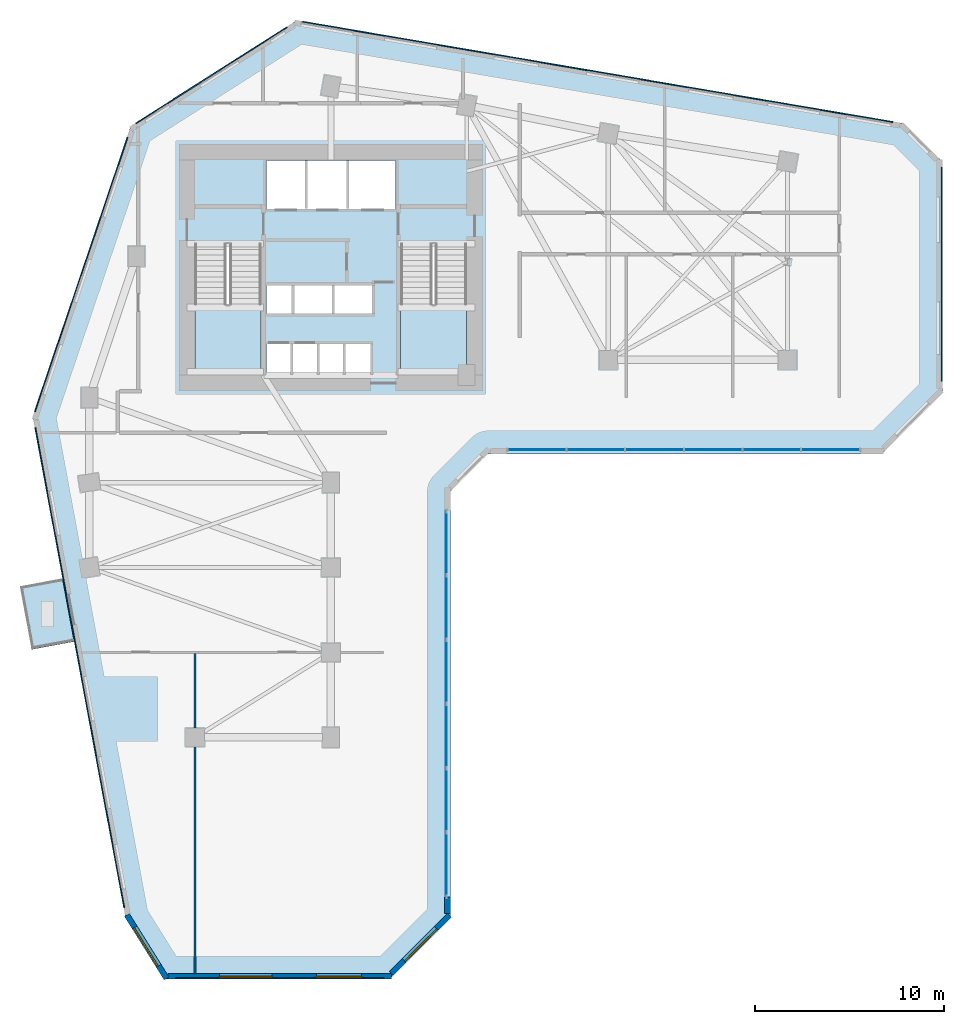
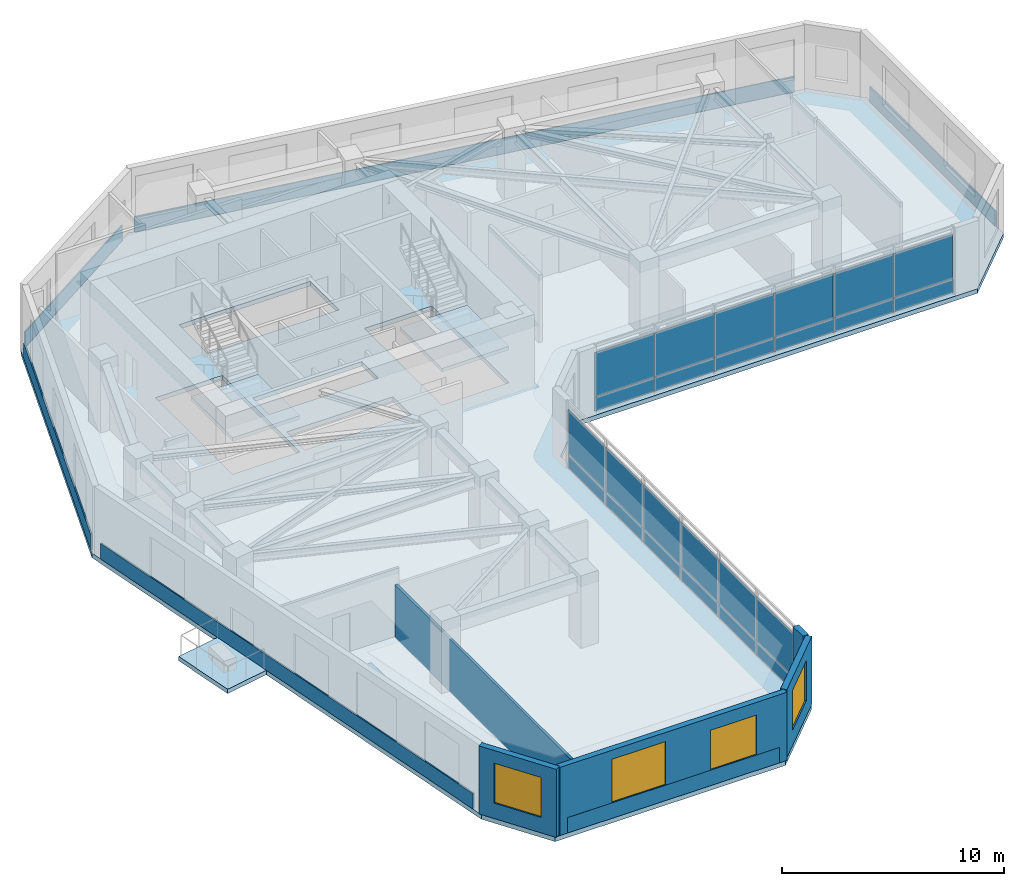
# One storey, part 4 of 9: 30 plates, 5 walls, 4 slabs, 4 windows, 4 openings, 4 elements without a shape of their own.
"""IFC4 building model written with IfcOpenShell, lengths in metres."""

from ifc_helpers import new_model, si_unit, direction, frame, frame_2d, origin, place, context, subcontext, project, spatial, polyline, rectangle, outline, extrude, source, transform, mapped, material, layer, layer_set, type_object, element, fill, aggregate, save


model = new_model("IFC4")

# Units and contexts
model_context = context("Model", 3, precision=1e-05, world=origin(), true_north=direction((0.0, 1.0)))
body_context = subcontext(model_context, "Body", "Model", "MODEL_VIEW")
ifc_project = project(units=[si_unit("LENGTHUNIT", "METRE"), si_unit("AREAUNIT", "SQUARE_METRE"), si_unit("VOLUMEUNIT", "CUBIC_METRE"), si_unit("PLANEANGLEUNIT", "RADIAN"), si_unit("MASSUNIT", "GRAM", prefix="KILO")], contexts=[model_context])

# Site, building, storey
site_placement = place(None, origin())
site = spatial("IfcSite", under=ifc_project, at=site_placement, CompositionType="ELEMENT")
building_placement = place(site_placement, origin())
building = spatial("IfcBuilding", under=site, at=building_placement, Name="Calvemar Wedge Station Tower", CompositionType="ELEMENT")
storey_placement = place(building_placement, frame((0.0, 0.0, 67.0)))
storey = spatial("IfcBuildingStorey", under=building, at=storey_placement, Name="L16", CompositionType="ELEMENT", Elevation=67.0)

# Curtain wall, plates
ifc_material_1 = material(Name="Anodised aluminium 6063-T6", Category="aluminium")
curtain_wall_type = type_object("IfcCurtainWallType", Name="CW1", PredefinedType="NOTDEFINED", material=ifc_material_1)
curtain_wall_1_placement = place(storey_placement, origin())
curtain_wall_1 = element("IfcCurtainWall", 1, at=curtain_wall_1_placement, inside=storey, type_object=curtain_wall_type, Name="Storey L16 CW1 Recessed Unitised Curtain Wall 4", PredefinedType="NOTDEFINED")
ifc_material_2 = material(Name="Low-E laminated insulated glass", Category="glass")
ifc_layer_1 = layer(ifc_material_2, 0.028076171875)
ifc_layer_set_1 = layer_set([ifc_layer_1], Name="Low-E laminated insulated glass")
plate_type_1 = type_object("IfcPlateType", Name="CW1-GLZ", PredefinedType="CURTAIN_PANEL", material=ifc_layer_set_1)
plate_1_placement = place(storey_placement, frame((29.91796875, 6.580078125, 0.8701171875), z_axis=(0.0, 0.0, 1.0), x_axis=(0.0, 1.0, 0.0)))
plate_1 = element("IfcPlate", 2, at=plate_1_placement, type_object=plate_type_1, Name="CW1 vision glass panel 1", PredefinedType="CURTAIN_PANEL", context=body_context, shape_type="SweptSolid", body=[
    extrude(rectangle(XDim=3.36865234375, YDim=0.028076171875, at=frame_2d((1.684326171875, 0.0))), origin(), (0.0, 0.0, 1.0), 2.409912109375),
])
plate_2_placement = place(storey_placement, frame((29.91796875, 9.98486328125, 0.8701171875), z_axis=(0.0, 0.0, 1.0), x_axis=(0.0, 1.0, 0.0)))
plate_2 = element("IfcPlate", 3, at=plate_2_placement, type_object=plate_type_1, Name="CW1 vision glass panel 2", PredefinedType="CURTAIN_PANEL", context=body_context, shape_type="SweptSolid", body=[
    extrude(rectangle(XDim=3.36865234375, YDim=0.028076171875, at=frame_2d((1.684326171875, 0.0))), origin(), (0.0, 0.0, 1.0), 2.409912109375),
])
plate_3_placement = place(storey_placement, frame((29.91796875, 13.389404296875, 0.8701171875), z_axis=(0.0, 0.0, 1.0), x_axis=(0.0, 1.0, 0.0)))
plate_3 = element("IfcPlate", 4, at=plate_3_placement, type_object=plate_type_1, Name="CW1 vision glass panel 3", PredefinedType="CURTAIN_PANEL", context=body_context, shape_type="SweptSolid", body=[
    extrude(rectangle(XDim=3.36865234375, YDim=0.028076171875, at=frame_2d((1.684326171875, 0.0))), origin(), (0.0, 0.0, 1.0), 2.409912109375),
])
plate_4_placement = place(storey_placement, frame((29.91796875, 16.794189453125, 0.8701171875), z_axis=(0.0, 0.0, 1.0), x_axis=(0.0, 1.0, 0.0)))
plate_4 = element("IfcPlate", 5, at=plate_4_placement, type_object=plate_type_1, Name="CW1 vision glass panel 4", PredefinedType="CURTAIN_PANEL", context=body_context, shape_type="SweptSolid", body=[
    extrude(rectangle(XDim=3.36865234375, YDim=0.028076171875, at=frame_2d((1.684326171875, 0.0))), origin(), (0.0, 0.0, 1.0), 2.409912109375),
])
plate_5_placement = place(storey_placement, frame((29.91796875, 20.19873046875, 0.8701171875), z_axis=(0.0, 0.0, 1.0), x_axis=(0.0, 1.0, 0.0)))
plate_5 = element("IfcPlate", 6, at=plate_5_placement, type_object=plate_type_1, Name="CW1 vision glass panel 5", PredefinedType="CURTAIN_PANEL", context=body_context, shape_type="SweptSolid", body=[
    extrude(rectangle(XDim=3.36865234375, YDim=0.028076171875, at=frame_2d((1.684326171875, 0.0))), origin(), (0.0, 0.0, 1.0), 2.409912109375),
])
plate_6_placement = place(storey_placement, frame((29.91796875, 23.603515625, 0.8701171875), z_axis=(0.0, 0.0, 1.0), x_axis=(0.0, 1.0, 0.0)))
plate_6 = element("IfcPlate", 7, at=plate_6_placement, type_object=plate_type_1, Name="CW1 vision glass panel 6", PredefinedType="CURTAIN_PANEL", context=body_context, shape_type="SweptSolid", body=[
    extrude(rectangle(XDim=3.36865234375, YDim=0.028076171875, at=frame_2d((1.684326171875, 0.0))), origin(), (0.0, 0.0, 1.0), 2.409912109375),
])

curtain_wall_2_placement = place(storey_placement, origin())
curtain_wall_2 = element("IfcCurtainWall", 8, at=curtain_wall_2_placement, inside=storey, type_object=curtain_wall_type, Name="Storey L16 CW1 Recessed Unitised Curtain Wall 6", PredefinedType="NOTDEFINED")
plate_7_placement = place(storey_placement, frame((33.183837890625, 30.238037109375, 0.8701171875), z_axis=(0.0, 0.0, 1.0), x_axis=(1.0, 0.0, 0.0)))
plate_7 = element("IfcPlate", 9, at=plate_7_placement, type_object=plate_type_1, Name="CW1 vision glass panel 1", PredefinedType="CURTAIN_PANEL", context=body_context, shape_type="SweptSolid", body=[
    extrude(rectangle(XDim=3.076171875, YDim=0.028076171875, at=frame_2d((1.5380859375, 0.0))), origin(), (0.0, 0.0, 1.0), 2.409912109375),
])
plate_8_placement = place(storey_placement, frame((36.2958984375, 30.238037109375, 0.8701171875), z_axis=(0.0, 0.0, 1.0), x_axis=(1.0, 0.0, 0.0)))
plate_8 = element("IfcPlate", 10, at=plate_8_placement, type_object=plate_type_1, Name="CW1 vision glass panel 2", PredefinedType="CURTAIN_PANEL", context=body_context, shape_type="SweptSolid", body=[
    extrude(rectangle(XDim=3.075927734375, YDim=0.028076171875, at=frame_2d((1.5380859375, 0.0))), origin(), (0.0, 0.0, 1.0), 2.409912109375),
])
plate_9_placement = place(storey_placement, frame((39.407958984375, 30.238037109375, 0.8701171875), z_axis=(0.0, 0.0, 1.0), x_axis=(1.0, 0.0, 0.0)))
plate_9 = element("IfcPlate", 11, at=plate_9_placement, type_object=plate_type_1, Name="CW1 vision glass panel 3", PredefinedType="CURTAIN_PANEL", context=body_context, shape_type="SweptSolid", body=[
    extrude(rectangle(XDim=3.075927734375, YDim=0.028076171875, at=frame_2d((1.5380859375, 0.0))), origin(), (0.0, 0.0, 1.0), 2.409912109375),
])
plate_10_placement = place(storey_placement, frame((42.52001953125, 30.238037109375, 0.8701171875), z_axis=(0.0, 0.0, 1.0), x_axis=(1.0, 0.0, 0.0)))
plate_10 = element("IfcPlate", 12, at=plate_10_placement, type_object=plate_type_1, Name="CW1 vision glass panel 4", PredefinedType="CURTAIN_PANEL", context=body_context, shape_type="SweptSolid", body=[
    extrude(rectangle(XDim=3.075927734375, YDim=0.028076171875, at=frame_2d((1.5380859375, 0.0))), origin(), (0.0, 0.0, 1.0), 2.409912109375),
])
plate_11_placement = place(storey_placement, frame((45.6318359375, 30.238037109375, 0.8701171875), z_axis=(0.0, 0.0, 1.0), x_axis=(1.0, 0.0, 0.0)))
plate_11 = element("IfcPlate", 13, at=plate_11_placement, type_object=plate_type_1, Name="CW1 vision glass panel 5", PredefinedType="CURTAIN_PANEL", context=body_context, shape_type="SweptSolid", body=[
    extrude(rectangle(XDim=3.076171875, YDim=0.028076171875, at=frame_2d((1.5380859375, 0.0))), origin(), (0.0, 0.0, 1.0), 2.409912109375),
])
plate_12_placement = place(storey_placement, frame((48.743896484375, 30.238037109375, 0.8701171875), z_axis=(0.0, 0.0, 1.0), x_axis=(1.0, 0.0, 0.0)))
plate_12 = element("IfcPlate", 14, at=plate_12_placement, type_object=plate_type_1, Name="CW1 vision glass panel 6", PredefinedType="CURTAIN_PANEL", context=body_context, shape_type="SweptSolid", body=[
    extrude(rectangle(XDim=3.075927734375, YDim=0.028076171875, at=frame_2d((1.5380859375, 0.0))), origin(), (0.0, 0.0, 1.0), 2.409912109375),
])

# Plate
ifc_material_3 = material(Name="Oxidized bronze aluminium spandrel panel 5005-H24", Category="aluminium")
ifc_layer_2 = layer(ifc_material_3, 0.0400390625)
ifc_layer_set_2 = layer_set([ifc_layer_2], Name="Oxidized bronze aluminium spandrel panel 5005-H24")
plate_type_2 = type_object("IfcPlateType", Name="CW1-SPD", PredefinedType="SHEET", material=ifc_layer_set_2)
plate_13_placement = place(storey_placement, frame((29.91796875, 6.580078125, 0.080078125), z_axis=(0.0, 0.0, 1.0), x_axis=(0.0, 1.0, 0.0)))
plate_13 = element("IfcPlate", 15, at=plate_13_placement, type_object=plate_type_2, Name="CW1 bronze spandrel panel 1", PredefinedType="SHEET", context=body_context, shape_type="SweptSolid", body=[
    extrude(rectangle(XDim=3.36865234375, YDim=0.0400390625, at=frame_2d((1.684326171875, 0.0))), origin(), (0.0, 0.0, 1.0), 0.75),
])

plate_14_placement = place(storey_placement, frame((29.91796875, 9.98486328125, 0.080078125), z_axis=(0.0, 0.0, 1.0), x_axis=(0.0, 1.0, 0.0)))
plate_14 = element("IfcPlate", 16, at=plate_14_placement, type_object=plate_type_2, Name="CW1 bronze spandrel panel 2", PredefinedType="SHEET", context=body_context, shape_type="SweptSolid", body=[
    extrude(rectangle(XDim=3.36865234375, YDim=0.0400390625, at=frame_2d((1.684326171875, 0.0))), origin(), (0.0, 0.0, 1.0), 0.75),
])

plate_15_placement = place(storey_placement, frame((29.91796875, 13.389404296875, 0.080078125), z_axis=(0.0, 0.0, 1.0), x_axis=(0.0, 1.0, 0.0)))
plate_15 = element("IfcPlate", 17, at=plate_15_placement, type_object=plate_type_2, Name="CW1 bronze spandrel panel 3", PredefinedType="SHEET", context=body_context, shape_type="SweptSolid", body=[
    extrude(rectangle(XDim=3.36865234375, YDim=0.0400390625, at=frame_2d((1.684326171875, 0.0))), origin(), (0.0, 0.0, 1.0), 0.75),
])

plate_16_placement = place(storey_placement, frame((29.91796875, 16.794189453125, 0.080078125), z_axis=(0.0, 0.0, 1.0), x_axis=(0.0, 1.0, 0.0)))
plate_16 = element("IfcPlate", 18, at=plate_16_placement, type_object=plate_type_2, Name="CW1 bronze spandrel panel 4", PredefinedType="SHEET", context=body_context, shape_type="SweptSolid", body=[
    extrude(rectangle(XDim=3.36865234375, YDim=0.0400390625, at=frame_2d((1.684326171875, 0.0))), origin(), (0.0, 0.0, 1.0), 0.75),
])

plate_17_placement = place(storey_placement, frame((29.91796875, 20.19873046875, 0.080078125), z_axis=(0.0, 0.0, 1.0), x_axis=(0.0, 1.0, 0.0)))
plate_17 = element("IfcPlate", 19, at=plate_17_placement, type_object=plate_type_2, Name="CW1 bronze spandrel panel 5", PredefinedType="SHEET", context=body_context, shape_type="SweptSolid", body=[
    extrude(rectangle(XDim=3.36865234375, YDim=0.0400390625, at=frame_2d((1.684326171875, 0.0))), origin(), (0.0, 0.0, 1.0), 0.75),
])

plate_18_placement = place(storey_placement, frame((29.91796875, 23.603515625, 0.080078125), z_axis=(0.0, 0.0, 1.0), x_axis=(0.0, 1.0, 0.0)))
plate_18 = element("IfcPlate", 20, at=plate_18_placement, type_object=plate_type_2, Name="CW1 bronze spandrel panel 6", PredefinedType="SHEET", context=body_context, shape_type="SweptSolid", body=[
    extrude(rectangle(XDim=3.36865234375, YDim=0.0400390625, at=frame_2d((1.684326171875, 0.0))), origin(), (0.0, 0.0, 1.0), 0.75),
])

aggregate(curtain_wall_1, [plate_13, plate_1, plate_14, plate_2, plate_15, plate_3, plate_16, plate_4, plate_17, plate_5, plate_18, plate_6])

plate_19_placement = place(storey_placement, frame((33.183837890625, 30.238037109375, 0.080078125), z_axis=(0.0, 0.0, 1.0), x_axis=(1.0, 0.0, 0.0)))
plate_19 = element("IfcPlate", 21, at=plate_19_placement, type_object=plate_type_2, Name="CW1 bronze spandrel panel 1", PredefinedType="SHEET", context=body_context, shape_type="SweptSolid", body=[
    extrude(rectangle(XDim=3.076171875, YDim=0.0400390625, at=frame_2d((1.5380859375, 0.0))), origin(), (0.0, 0.0, 1.0), 0.75),
])

plate_20_placement = place(storey_placement, frame((36.2958984375, 30.238037109375, 0.080078125), z_axis=(0.0, 0.0, 1.0), x_axis=(1.0, 0.0, 0.0)))
plate_20 = element("IfcPlate", 22, at=plate_20_placement, type_object=plate_type_2, Name="CW1 bronze spandrel panel 2", PredefinedType="SHEET", context=body_context, shape_type="SweptSolid", body=[
    extrude(rectangle(XDim=3.075927734375, YDim=0.0400390625, at=frame_2d((1.5380859375, 0.0))), origin(), (0.0, 0.0, 1.0), 0.75),
])

plate_21_placement = place(storey_placement, frame((39.407958984375, 30.238037109375, 0.080078125), z_axis=(0.0, 0.0, 1.0), x_axis=(1.0, 0.0, 0.0)))
plate_21 = element("IfcPlate", 23, at=plate_21_placement, type_object=plate_type_2, Name="CW1 bronze spandrel panel 3", PredefinedType="SHEET", context=body_context, shape_type="SweptSolid", body=[
    extrude(rectangle(XDim=3.075927734375, YDim=0.0400390625, at=frame_2d((1.5380859375, 0.0))), origin(), (0.0, 0.0, 1.0), 0.75),
])

plate_22_placement = place(storey_placement, frame((42.52001953125, 30.238037109375, 0.080078125), z_axis=(0.0, 0.0, 1.0), x_axis=(1.0, 0.0, 0.0)))
plate_22 = element("IfcPlate", 24, at=plate_22_placement, type_object=plate_type_2, Name="CW1 bronze spandrel panel 4", PredefinedType="SHEET", context=body_context, shape_type="SweptSolid", body=[
    extrude(rectangle(XDim=3.075927734375, YDim=0.0400390625, at=frame_2d((1.5380859375, 0.0))), origin(), (0.0, 0.0, 1.0), 0.75),
])

plate_23_placement = place(storey_placement, frame((45.6318359375, 30.238037109375, 0.080078125), z_axis=(0.0, 0.0, 1.0), x_axis=(1.0, 0.0, 0.0)))
plate_23 = element("IfcPlate", 25, at=plate_23_placement, type_object=plate_type_2, Name="CW1 bronze spandrel panel 5", PredefinedType="SHEET", context=body_context, shape_type="SweptSolid", body=[
    extrude(rectangle(XDim=3.076171875, YDim=0.0400390625, at=frame_2d((1.5380859375, 0.0))), origin(), (0.0, 0.0, 1.0), 0.75),
])

plate_24_placement = place(storey_placement, frame((48.743896484375, 30.238037109375, 0.080078125), z_axis=(0.0, 0.0, 1.0), x_axis=(1.0, 0.0, 0.0)))
plate_24 = element("IfcPlate", 26, at=plate_24_placement, type_object=plate_type_2, Name="CW1 bronze spandrel panel 6", PredefinedType="SHEET", context=body_context, shape_type="SweptSolid", body=[
    extrude(rectangle(XDim=3.075927734375, YDim=0.0400390625, at=frame_2d((1.5380859375, 0.0))), origin(), (0.0, 0.0, 1.0), 0.75),
])

aggregate(curtain_wall_2, [plate_19, plate_7, plate_20, plate_8, plate_21, plate_9, plate_22, plate_10, plate_23, plate_11, plate_24, plate_12])

# Plates
ifc_material_4 = material(Name="Precast concrete C45", Category="concrete")
ifc_layer_3 = layer(ifc_material_4, 0.06494140625)
ifc_layer_set_3 = layer_set([ifc_layer_3], Name="Precast concrete C45")
plate_type_3 = type_object("IfcPlateType", Name="PL-GFRC-FIN", PredefinedType="USERDEFINED", material=ifc_layer_set_3)
plate_25_placement = place(storey_placement, frame((15.57373046875, 2.22998046875, 0.0), z_axis=(0.0, 0.0, 1.0), x_axis=(1.0, 0.0, 0.0)))
element("IfcPlate", 27, at=plate_25_placement, inside=storey, type_object=plate_type_3, Name="Storey L16 Oxidized-Bronze GFRC Spandrel Cladding 2", ObjectType="CLADDING PANEL", PredefinedType="USERDEFINED", context=body_context, shape_type="SweptSolid", body=[
    extrude(rectangle(XDim=11.042236328125, YDim=0.06494140625, at=frame_2d((5.52099609375, 0.0))), origin(), (0.0, 0.0, 1.0), 0.85009765625),
])
plate_26_placement = place(storey_placement, frame((56.169921875, 33.88525390625, 0.0), z_axis=(0.0, 0.0, 1.0), x_axis=(0.0, 1.0, 0.0)))
element("IfcPlate", 28, at=plate_26_placement, inside=storey, type_object=plate_type_3, Name="Storey L16 Oxidized-Bronze GFRC Spandrel Cladding 8", ObjectType="CLADDING PANEL", PredefinedType="USERDEFINED", context=body_context, shape_type="SweptSolid", body=[
    extrude(rectangle(XDim=11.33056640625, YDim=0.06494140625, at=frame_2d((5.665283203125, 0.0))), origin(), (0.0, 0.0, 1.0), 0.85009765625),
])
plate_27_placement = place(storey_placement, frame((53.586669921875, 47.601806640625, 0.0), z_axis=(0.0, 0.0, 1.0), x_axis=(-0.985865619109, 0.16753799885, 0.0)))
element("IfcPlate", 29, at=plate_27_placement, inside=storey, type_object=plate_type_3, Name="Storey L16 Oxidized-Bronze GFRC Spandrel Cladding 10", ObjectType="CLADDING PANEL", PredefinedType="USERDEFINED", context=body_context, shape_type="SweptSolid", body=[
    extrude(rectangle(XDim=31.73681640625, YDim=0.06494140625, at=frame_2d((15.868408203125, 0.0))), origin(), (0.0, 0.0, 1.0), 0.85009765625),
])
plate_28_placement = place(storey_placement, frame((21.472900390625, 52.62890625, 0.0), z_axis=(0.0, 0.0, 1.0), x_axis=(-0.843667847652, -0.536865497903, 0.0)))
element("IfcPlate", 30, at=plate_28_placement, inside=storey, type_object=plate_type_3, Name="Storey L16 Oxidized-Bronze GFRC Spandrel Cladding 11", ObjectType="CLADDING PANEL", PredefinedType="USERDEFINED", context=body_context, shape_type="SweptSolid", body=[
    extrude(rectangle(XDim=9.48388671875, YDim=0.06494140625, at=frame_2d((4.741943359375, 0.0))), origin(), (0.0, 0.0, 1.0), 0.85009765625),
])
plate_29_placement = place(storey_placement, frame((13.02685546875, 46.793212890625, 0.0), z_axis=(0.0, 0.0, 1.0), x_axis=(-0.319926926958, -0.947442220617, 0.0)))
element("IfcPlate", 31, at=plate_29_placement, inside=storey, type_object=plate_type_3, Name="Storey L16 Oxidized-Bronze GFRC Spandrel Cladding 12", ObjectType="CLADDING PANEL", PredefinedType="USERDEFINED", context=body_context, shape_type="SweptSolid", body=[
    extrude(rectangle(XDim=15.334716796875, YDim=0.06494140625, at=frame_2d((7.66748046875, 0.0))), origin(), (0.0, 0.0, 1.0), 0.85009765625),
])
plate_30_placement = place(storey_placement, frame((8.13818359375, 31.41845703125, 0.0), z_axis=(0.0, 0.0, 1.0), x_axis=(0.182161215884, -0.983268677131, 0.0)))
element("IfcPlate", 32, at=plate_30_placement, inside=storey, type_object=plate_type_3, Name="Storey L16 Oxidized-Bronze GFRC Spandrel Cladding 13", ObjectType="CLADDING PANEL", PredefinedType="USERDEFINED", context=body_context, shape_type="SweptSolid", body=[
    extrude(rectangle(XDim=25.87890625, YDim=0.06494140625, at=frame_2d((12.939453125, 0.0))), origin(), (0.0, 0.0, 1.0), 0.85009765625),
])

# Stair, slab
ifc_material_5 = material(Name="Concrete C45", Category="concrete")
stair_type = type_object("IfcStairType", Name="ST-TYPE-4000", PredefinedType="HALF_TURN_STAIR", material=ifc_material_5)
stair_1_placement = place(storey_placement, origin())
stair_1 = element("IfcStair", 33, at=stair_1_placement, inside=storey, type_object=stair_type, Name="L16 Pressurized Core Exit Stair ST-C1", PredefinedType="HALF_TURN_STAIR")
ifc_layer_4 = layer(ifc_material_5, 0.199951171875)
ifc_layer_set_4 = layer_set([ifc_layer_4], Name="Concrete C45")
slab_type_1 = type_object("IfcSlabType", Name="SL-STAIR-LND-200", PredefinedType="LANDING", material=ifc_layer_set_4)
slab_1_placement = place(storey_placement, frame((0.0, 0.0, 1.800048828125)))
slab_1 = element("IfcSlab", 34, at=slab_1_placement, type_object=slab_type_1, Name="ST-C1 landing 1", PredefinedType="LANDING", context=body_context, shape_type="SweptSolid", body=[
    extrude(outline(polyline([(16.60009765625, 37.9599609375), (16.60009765625, 34.199951171875), (20.10009765625, 34.199951171875), (20.10009765625, 37.9599609375), (16.60009765625, 37.9599609375)])), origin(), (0.0, 0.0, 1.0), 0.199951171875),
])
aggregate(stair_1, [slab_1])

stair_2_placement = place(storey_placement, origin())
stair_2 = element("IfcStair", 35, at=stair_2_placement, inside=storey, type_object=stair_type, Name="L16 Pressurized Core Exit Stair ST-C2", PredefinedType="HALF_TURN_STAIR")
slab_2_placement = place(storey_placement, frame((0.0, 0.0, 1.800048828125)))
slab_2 = element("IfcSlab", 36, at=slab_2_placement, type_object=slab_type_1, Name="ST-C2 landing 1", PredefinedType="LANDING", context=body_context, shape_type="SweptSolid", body=[
    extrude(outline(polyline([(27.5, 37.9599609375), (27.5, 34.199951171875), (31.0, 34.199951171875), (31.0, 37.9599609375), (27.5, 37.9599609375)])), origin(), (0.0, 0.0, 1.0), 0.199951171875),
])
aggregate(stair_2, [slab_2])

# Slabs
ifc_layer_5 = layer(ifc_material_5, 0.239990234375)
ifc_layer_set_5 = layer_set([ifc_layer_5], Name="Concrete C45")
slab_type_2 = type_object("IfcSlabType", Name="SL-TERR-240", PredefinedType="FLOOR", material=ifc_layer_set_5)
slab_3_placement = place(storey_placement, frame((0.0, 0.0, -0.239990234375)))
element("IfcSlab", 37, at=slab_3_placement, inside=storey, type_object=slab_type_2, Name="Storey L16 Planted Spiral Terrace Slab", PredefinedType="FLOOR", context=body_context, shape_type="SweptSolid", body=[
    extrude(outline(polyline([(9.589111328125, 23.422119140625), (7.326904296875, 23.0029296875), (7.947021484375, 19.658935546875), (10.208984375, 20.077880859375), (9.589111328125, 23.422119140625)])), origin(), (0.0, 0.0, 1.0), 0.239990234375),
])
ifc_material_6 = material(Name="Concrete C50", Category="concrete")
ifc_layer_6 = layer(ifc_material_6, 0.25)
ifc_layer_set_6 = layer_set([ifc_layer_6], Name="Concrete C50")
slab_type_3 = type_object("IfcSlabType", Name="SL-TYP-250", PredefinedType="FLOOR", material=ifc_layer_set_6)
slab_4_placement = place(storey_placement, frame((0.0, 0.0, -0.25)))
element("IfcSlab", 38, at=slab_4_placement, inside=storey, type_object=slab_type_3, Name="Storey L16 Structural Floor Slab", PredefinedType="FLOOR", context=body_context, shape_type="SweptSolid", body=[
    extrude(outline(polyline([(8.0, 32.0), (12.927978515625, 5.39990234375), (14.927978515625, 2.199951171875), (26.927978515625, 2.199951171875), (30.1279296875, 5.39990234375), (30.1279296875, 28.028076171875), (32.1279296875, 30.028076171875), (53.0, 30.028076171875), (56.199951171875, 33.22802734375), (56.199951171875, 45.528076171875), (54.199951171875, 47.528076171875), (22.0, 53.0), (13.199951171875, 47.39990234375), (8.0, 32.0)]), holes=[polyline([(21.739990234375, 35.85009765625), (21.72998046875, 35.85009765625), (20.3798828125, 35.85009765625), (20.3798828125, 34.219970703125), (21.72998046875, 34.219970703125), (21.739990234375, 34.219970703125), (23.1201171875, 34.219970703125), (23.1298828125, 34.219970703125), (24.510009765625, 34.219970703125), (24.52001953125, 34.219970703125), (25.909912109375, 34.219970703125), (25.909912109375, 35.85009765625), (24.52001953125, 35.85009765625), (24.510009765625, 35.85009765625), (23.1298828125, 35.85009765625), (23.1201171875, 35.85009765625), (21.739990234375, 35.85009765625)]), polyline([(16.60009765625, 41.14990234375), (16.60009765625, 34.199951171875), (20.10009765625, 34.199951171875), (20.10009765625, 41.14990234375), (16.60009765625, 41.14990234375)]), polyline([(27.5, 34.199951171875), (31.0, 34.199951171875), (31.0, 41.14990234375), (27.5, 41.14990234375), (27.5, 34.199951171875)]), polyline([(21.7900390625, 37.449951171875), (21.800048828125, 37.449951171875), (23.929931640625, 37.449951171875), (23.93994140625, 37.449951171875), (26.080078125, 37.449951171875), (26.080078125, 38.949951171875), (23.93994140625, 38.949951171875), (23.929931640625, 38.949951171875), (21.800048828125, 38.949951171875), (21.7900390625, 38.949951171875), (20.3798828125, 38.949951171875), (20.3798828125, 37.449951171875), (21.7900390625, 37.449951171875)]), polyline([(20.3798828125, 43.0), (27.219970703125, 43.0), (27.219970703125, 45.580078125), (20.3798828125, 45.580078125), (20.3798828125, 43.0)])]), origin(), (0.0, 0.0, 1.0), 0.25),
])

# Wall, opening, window
ifc_layer_7 = layer(ifc_material_4, 0.300048828125)
ifc_layer_set_7 = layer_set([ifc_layer_7], Name="Precast concrete C45")
wall_type_1 = type_object("IfcWallType", Name="W-EXT-GFRC-300", PredefinedType="SOLIDWALL", material=ifc_layer_set_7)
wall_1_placement = place(storey_placement, frame((12.99072265625, 5.58251953125, 0.0), z_axis=(0.0, 0.0, 1.0), x_axis=(0.530015557218, -0.847987918019, 0.0)))
wall_1 = element("IfcWall", 39, at=wall_1_placement, inside=storey, type_object=wall_type_1, Name="Storey L16 Bronze GFRC Exterior Wall 1", PredefinedType="SOLIDWALL", context=body_context, shape_type="SweptSolid", body=[
    extrude(rectangle(XDim=3.9619140625, YDim=0.300048828125, at=frame_2d((1.98095703125, 0.0))), origin(), (0.0, 0.0, 1.0), 3.75),
])
shared_shape_1 = source(origin(), body_context, "Body", "SweptSolid", [
    extrude(rectangle(XDim=2.39990234375, YDim=2.199951171875, at=frame_2d((1.199951171875, 1.10009765625))), frame((0.0, 0.16015625, 0.0), z_axis=(0.0, -1.0, 0.0), x_axis=(1.0, 0.0, 0.0)), (0.0, 0.0, 1.0), 0.320068359375),
])
opening_1_placement = place(wall_1_placement, frame((0.781005859375, 0.0, 0.85009765625)))
opening_1 = element("IfcOpeningElement", 40, at=opening_1_placement, cuts=wall_1, Name="Opening W1", PredefinedType="OPENING", context=body_context, shape_type="MappedRepresentation", body=[
    mapped(shared_shape_1, transform((0.0, 0.0, 0.0), scale=1.0)),
])
window_type_1 = type_object("IfcWindowType", Name="WIN-EXT-1", PartitioningType="SINGLE_PANEL", PredefinedType="WINDOW", material=ifc_material_2)
shared_shape_2 = source(origin(), body_context, "Body", "SweptSolid", [
    extrude(rectangle(XDim=2.39990234375, YDim=2.199951171875, at=frame_2d((1.199951171875, 1.10009765625))), frame((0.0, -0.014892578125, 0.0), z_axis=(0.0, -1.0, 0.0), x_axis=(1.0, 0.0, 0.0)), (0.0, 0.0, 1.0), 0.06005859375),
])
window_1_placement = place(opening_1_placement, origin())
window_1 = element("IfcWindow", 41, at=window_1_placement, inside=storey, type_object=window_type_1, Name="Storey L16 Recessed Window 1.1", OverallHeight=2.199951171875, OverallWidth=2.39990234375, PartitioningType="SINGLE_PANEL", PredefinedType="WINDOW", context=body_context, shape_type="MappedRepresentation", body=[
    mapped(shared_shape_2, transform((0.0, 0.0, 0.0), scale=1.0)),
])
fill(opening_1, window_1)

# Wall, openings, windows
wall_2_placement = place(storey_placement, frame((15.173828125, 2.35009765625, 0.0), z_axis=(0.0, 0.0, 1.0), x_axis=(1.0, 0.0, 0.0)))
wall_2 = element("IfcWall", 42, at=wall_2_placement, inside=storey, type_object=wall_type_1, Name="Storey L16 Bronze GFRC Exterior Wall 2", PredefinedType="SOLIDWALL", context=body_context, shape_type="SweptSolid", body=[
    extrude(rectangle(XDim=11.842041015625, YDim=0.300048828125, at=frame_2d((5.9208984375, 0.0))), origin(), (0.0, 0.0, 1.0), 3.75),
])
shared_shape_3 = source(origin(), body_context, "Body", "SweptSolid", [
    extrude(rectangle(XDim=2.800048828125, YDim=2.39990234375, at=frame_2d((1.39990234375, 1.199951171875))), frame((0.0, 0.16015625, 0.0), z_axis=(0.0, -1.0, 0.0), x_axis=(1.0, 0.0, 0.0)), (0.0, 0.0, 1.0), 0.320068359375),
])
opening_2_placement = place(wall_2_placement, frame((2.715087890625, 0.0, 0.85009765625)))
opening_2 = element("IfcOpeningElement", 43, at=opening_2_placement, cuts=wall_2, Name="Opening W6", PredefinedType="OPENING", context=body_context, shape_type="MappedRepresentation", body=[
    mapped(shared_shape_3, transform((0.0, 0.0, 0.0), scale=1.0)),
])
opening_3_placement = place(wall_2_placement, frame((7.85302734375, 0.0, 0.85009765625)))
opening_3 = element("IfcOpeningElement", 44, at=opening_3_placement, cuts=wall_2, Name="Opening W1", PredefinedType="OPENING", context=body_context, shape_type="MappedRepresentation", body=[
    mapped(shared_shape_1, transform((0.0, 0.0, 0.0), scale=1.0)),
])
window_type_2 = type_object("IfcWindowType", Name="WIN-EXT-6", PartitioningType="SINGLE_PANEL", PredefinedType="WINDOW", material=ifc_material_2)
shared_shape_4 = source(origin(), body_context, "Body", "SweptSolid", [
    extrude(rectangle(XDim=2.800048828125, YDim=2.39990234375, at=frame_2d((1.39990234375, 1.199951171875))), frame((0.0, -0.014892578125, 0.0), z_axis=(0.0, -1.0, 0.0), x_axis=(1.0, 0.0, 0.0)), (0.0, 0.0, 1.0), 0.06005859375),
])
window_2_placement = place(opening_2_placement, origin())
window_2 = element("IfcWindow", 45, at=window_2_placement, inside=storey, type_object=window_type_2, Name="Storey L16 Recessed Window 2.1", OverallHeight=2.39990234375, OverallWidth=2.800048828125, PartitioningType="SINGLE_PANEL", PredefinedType="WINDOW", context=body_context, shape_type="MappedRepresentation", body=[
    mapped(shared_shape_4, transform((0.0, 0.0, 0.0), scale=1.0)),
])
fill(opening_2, window_2)
window_3_placement = place(opening_3_placement, origin())
window_3 = element("IfcWindow", 46, at=window_3_placement, inside=storey, type_object=window_type_1, Name="Storey L16 Recessed Window 2.2", OverallHeight=2.199951171875, OverallWidth=2.39990234375, PartitioningType="SINGLE_PANEL", PredefinedType="WINDOW", context=body_context, shape_type="MappedRepresentation", body=[
    mapped(shared_shape_2, transform((0.0, 0.0, 0.0), scale=1.0)),
])
fill(opening_3, window_3)

# Wall, opening, window
wall_3_placement = place(storey_placement, frame((27.00390625, 2.488037109375, 0.0), z_axis=(0.0, 0.0, 1.0), x_axis=(0.707106781187, 0.707106781187, 0.0)))
wall_3 = element("IfcWall", 47, at=wall_3_placement, inside=storey, type_object=wall_type_1, Name="Storey L16 Bronze GFRC Exterior Wall 3", PredefinedType="SOLIDWALL", context=body_context, shape_type="SweptSolid", body=[
    extrude(rectangle(XDim=4.35595703125, YDim=0.300048828125, at=frame_2d((2.177978515625, 0.0))), origin(), (0.0, 0.0, 1.0), 3.75),
])
opening_4_placement = place(wall_3_placement, frame((0.97802734375, 0.0, 0.85009765625)))
opening_4 = element("IfcOpeningElement", 48, at=opening_4_placement, cuts=wall_3, Name="Opening W1", PredefinedType="OPENING", context=body_context, shape_type="MappedRepresentation", body=[
    mapped(shared_shape_1, transform((0.0, 0.0, 0.0), scale=1.0)),
])
window_4_placement = place(opening_4_placement, origin())
window_4 = element("IfcWindow", 49, at=window_4_placement, inside=storey, type_object=window_type_1, Name="Storey L16 Recessed Window 3.1", OverallHeight=2.199951171875, OverallWidth=2.39990234375, PartitioningType="SINGLE_PANEL", PredefinedType="WINDOW", context=body_context, shape_type="MappedRepresentation", body=[
    mapped(shared_shape_2, transform((0.0, 0.0, 0.0), scale=1.0)),
])
fill(opening_4, window_4)

# Walls
wall_4_placement = place(storey_placement, frame((29.97802734375, 5.6572265625, 0.0), z_axis=(0.0, 0.0, 1.0), x_axis=(0.0, 1.0, 0.0)))
element("IfcWall", 50, at=wall_4_placement, inside=storey, type_object=wall_type_1, Name="Storey L16 Bronze GFRC Corner Pier 4A", PredefinedType="SOLIDWALL", context=body_context, shape_type="SweptSolid", body=[
    extrude(rectangle(XDim=0.8798828125, YDim=0.300048828125, at=frame_2d((0.43994140625, 0.0))), origin(), (0.0, 0.0, 1.0), 3.75),
])
ifc_material_7 = material(Name="Insulated acoustic gypsum stud partition")
ifc_layer_8 = layer(ifc_material_7, 0.125)
ifc_layer_set_8 = layer_set([ifc_layer_8], Name="Insulated acoustic gypsum stud partition")
wall_type_2 = type_object("IfcWallType", Name="W-PART-125", PredefinedType="PARTITIONING", material=ifc_layer_set_8)
wall_5_placement = place(storey_placement, frame((16.60009765625, 19.43359375, 0.0), z_axis=(0.0, 0.0, 1.0), x_axis=(0.0, -1.0, 0.0)))
element("IfcWall", 51, at=wall_5_placement, inside=storey, type_object=wall_type_2, Name="Storey L16 Interior Partition WL-L16-031", PredefinedType="PARTITIONING", context=body_context, shape_type="SweptSolid", body=[
    extrude(rectangle(XDim=16.968505859375, YDim=0.125, at=frame_2d((8.484375, 0.0))), origin(), (0.0, 0.0, 1.0), 2.89208984375),
])

save(model, "model.ifc")
